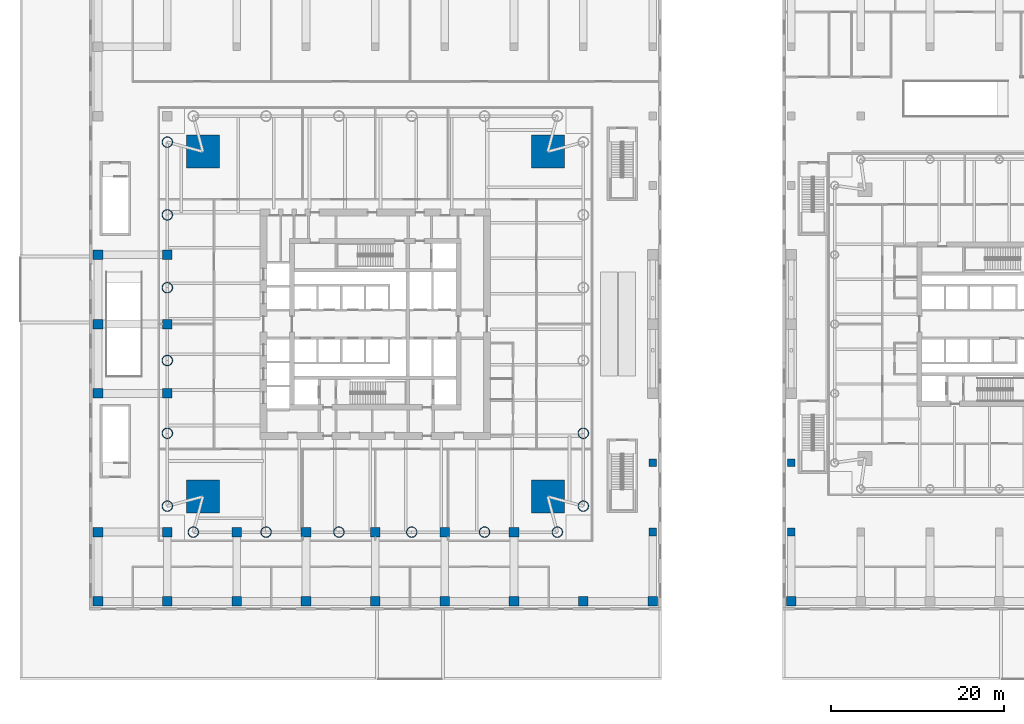
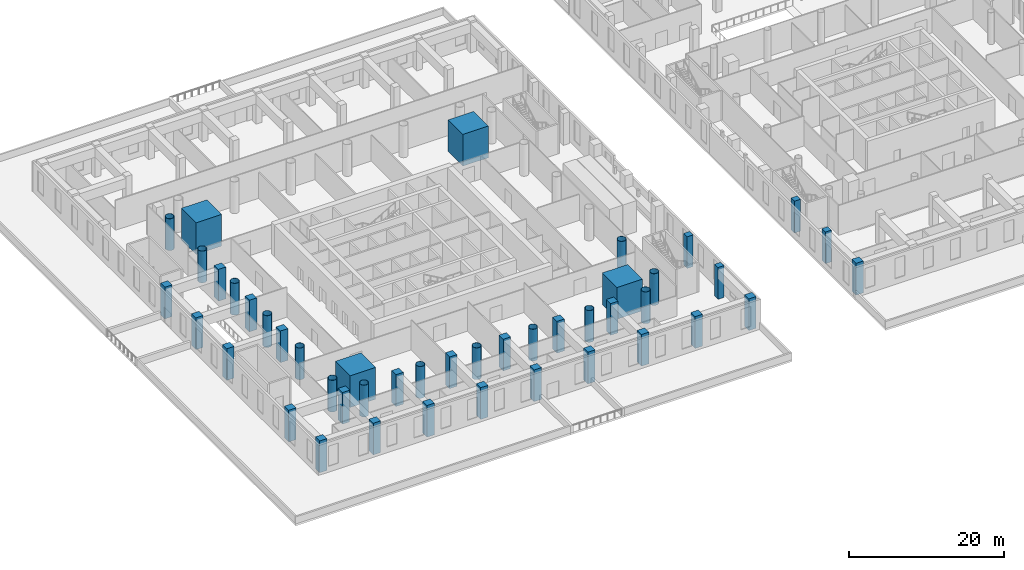
# One storey, part 1 of 26: 45 columns.
"""IFC4 building model written with IfcOpenShell, lengths in metres."""

from ifc_helpers import new_model, si_unit, direction, frame, origin, origin_2d, place, context, subcontext, project, spatial, rectangle, hollow_circle, extrude, material, material_profile, profile_set, type_object, element, save


model = new_model("IFC4")

# Units and contexts
model_context = context("Model", 3, precision=1e-05, world=origin(), true_north=direction((0.0, 1.0)))
body_context = subcontext(model_context, "Body", "Model", "MODEL_VIEW")
ifc_project = project(units=[si_unit("LENGTHUNIT", "METRE"), si_unit("AREAUNIT", "SQUARE_METRE"), si_unit("VOLUMEUNIT", "CUBIC_METRE"), si_unit("PLANEANGLEUNIT", "RADIAN"), si_unit("MASSUNIT", "GRAM", prefix="KILO")], contexts=[model_context])

# Site, building, storey
site_placement = place(None, origin())
site = spatial("IfcSite", under=ifc_project, at=site_placement, CompositionType="ELEMENT")
building_placement = place(site_placement, origin())
building = spatial("IfcBuilding", under=site, at=building_placement, Name="Ostroluk Exchange", CompositionType="ELEMENT")
storey_placement = place(building_placement, frame((0.0, 0.0, 6.0)))
storey = spatial("IfcBuildingStorey", under=building, at=storey_placement, Name="L01", CompositionType="ELEMENT", Elevation=6.0)

# Columns
ifc_material_1 = material(Name="Concrete C50/60", Category="concrete")
ifc_material_profile_1 = material_profile(ifc_material_1, rectangle(XDim=3.800048828125, YDim=3.800048828125, at=origin_2d()), Name="RC 3800x3800")
ifc_profile_set_1 = profile_set([ifc_material_profile_1], Name="Concrete C50/60")
column_type_1 = type_object("IfcColumnType", Name="Mega column RC 3800x3800", PredefinedType="COLUMN", material=ifc_profile_set_1)
for number, where, z_axis, x_axis, name in (
    (1, (64.89990234375, 65.89990234375, 0.0), (0.0, 0.0, 1.0), (1.0, 0.0, 0.0), "T1 mega column NE"),
    (2, (25.10009765625, 65.89990234375, 0.0), (0.0, 0.0, 1.0), (1.0, 0.0, 0.0), "T1 mega column NW"),
    (3, (25.10009765625, 26.10009765625, 0.0), (0.0, 0.0, 1.0), (1.0, 0.0, 0.0), "T1 mega column SW"),
    (4, (64.89990234375, 26.10009765625, 0.0), (0.0, 0.0, 1.0), (1.0, 0.0, 0.0), "T1 mega column SE"),
):
    element("IfcColumn", number, at=place(storey_placement, frame(where, z_axis=z_axis, x_axis=x_axis)), inside=storey, type_object=column_type_1, Name=name, PredefinedType="COLUMN", context=body_context, shape_type="SweptSolid", body=[
        extrude(rectangle(XDim=3.800048828125, YDim=3.800048828125, at=origin_2d()), origin(), (0.0, 0.0, 1.0), 5.0),
    ])
ifc_material_2 = material(Name="Steel S460", Category="steel")
ifc_material_profile_2 = material_profile(ifc_material_2, hollow_circle(Radius=0.609619140625, WallThickness=0.0400390625, at=origin_2d()), Name="CHS 1219x40")
ifc_profile_set_2 = profile_set([ifc_material_profile_2], Name="Steel S460")
column_type_2 = type_object("IfcColumnType", Name="Perimeter column CHS 1219x40", PredefinedType="COLUMN", material=ifc_profile_set_2)
for number, where, z_axis, x_axis, name in (
    (5, (69.0, 25.0, 0.0), (0.0, 0.0, 1.0), (1.0, 0.0, 0.0), "T1 east face column E0"),
    (6, (69.0, 33.39990234375, 0.0), (0.0, 0.0, 1.0), (1.0, 0.0, 0.0), "T1 east face column I1"),
    (7, (21.0, 67.0, 0.0), (0.0, 0.0, 1.0), (1.0, 0.0, 0.0), "T1 west face column E0"),
    (8, (21.0, 25.0, 0.0), (0.0, 0.0, 1.0), (1.0, 0.0, 0.0), "T1 west face column E1"),
    (9, (21.0, 58.60009765625, 0.0), (0.0, 0.0, 1.0), (1.0, 0.0, 0.0), "T1 west face column I1"),
    (10, (21.0, 50.199951171875, 0.0), (0.0, 0.0, 1.0), (1.0, 0.0, 0.0), "T1 west face column I2"),
    (11, (21.0, 41.800048828125, 0.0), (0.0, 0.0, 1.0), (1.0, 0.0, 0.0), "T1 west face column I3"),
    (12, (21.0, 33.39990234375, 0.0), (0.0, 0.0, 1.0), (1.0, 0.0, 0.0), "T1 west face column I4"),
    (13, (24.0, 22.0, 0.0), (0.0, 0.0, 1.0), (1.0, 0.0, 0.0), "T1 south face column E0"),
    (14, (66.0, 22.0, 0.0), (0.0, 0.0, 1.0), (1.0, 0.0, 0.0), "T1 south face column E1"),
    (15, (32.39990234375, 22.0, 0.0), (0.0, 0.0, 1.0), (1.0, 0.0, 0.0), "T1 south face column I1"),
    (16, (40.800048828125, 22.0, 0.0), (0.0, 0.0, 1.0), (1.0, 0.0, 0.0), "T1 south face column I2"),
    (17, (49.199951171875, 22.0, 0.0), (0.0, 0.0, 1.0), (1.0, 0.0, 0.0), "T1 south face column I3"),
    (18, (57.60009765625, 22.0, 0.0), (0.0, 0.0, 1.0), (1.0, 0.0, 0.0), "T1 south face column I4"),
):
    element("IfcColumn", number, at=place(storey_placement, frame(where, z_axis=z_axis, x_axis=x_axis)), inside=storey, type_object=column_type_2, Name=name, PredefinedType="COLUMN", context=body_context, shape_type="SweptSolid", body=[
        extrude(hollow_circle(Radius=0.609619140625, WallThickness=0.0400390625, at=origin_2d()), origin(), (0.0, 0.0, 1.0), 5.0),
    ])
ifc_material_3 = material(Name="Concrete C50/60", Category="concrete")
ifc_material_profile_3 = material_profile(ifc_material_3, rectangle(XDim=1.10009765625, YDim=1.10009765625, at=origin_2d()), Name="RC 1100x1100")
ifc_profile_set_3 = profile_set([ifc_material_profile_3], Name="Concrete C50/60")
column_type_3 = type_object("IfcColumnType", Name="Podium column RC 1100x1100", PredefinedType="COLUMN", material=ifc_profile_set_3)
for number, where, z_axis, x_axis, name in (
    (19, (13.0, 14.0, 0.0), (0.0, 0.0, 1.0), (1.0, 0.0, 0.0), "Podium column 13/14"),
    (20, (13.0, 22.0, 0.0), (0.0, 0.0, 1.0), (1.0, 0.0, 0.0), "Podium column 13/22"),
    (21, (13.0, 38.0, 0.0), (0.0, 0.0, 1.0), (1.0, 0.0, 0.0), "Podium column 13/38"),
    (22, (13.0, 46.0, 0.0), (0.0, 0.0, 1.0), (1.0, 0.0, 0.0), "Podium column 13/46"),
    (23, (13.0, 54.0, 0.0), (0.0, 0.0, 1.0), (1.0, 0.0, 0.0), "Podium column 13/54"),
    (24, (21.0, 14.0, 0.0), (0.0, 0.0, 1.0), (1.0, 0.0, 0.0), "Podium column 21/14"),
    (25, (29.0, 14.0, 0.0), (0.0, 0.0, 1.0), (1.0, 0.0, 0.0), "Podium column 29/14"),
    (26, (37.0, 14.0, 0.0), (0.0, 0.0, 1.0), (1.0, 0.0, 0.0), "Podium column 37/14"),
    (27, (45.0, 14.0, 0.0), (0.0, 0.0, 1.0), (1.0, 0.0, 0.0), "Podium column 45/14"),
    (28, (53.0, 14.0, 0.0), (0.0, 0.0, 1.0), (1.0, 0.0, 0.0), "Podium column 53/14"),
    (29, (61.0, 14.0, 0.0), (0.0, 0.0, 1.0), (1.0, 0.0, 0.0), "Podium column 61/14"),
    (30, (69.0, 14.0, 0.0), (0.0, 0.0, 1.0), (1.0, 0.0, 0.0), "Podium column 69/14"),
    (31, (77.0, 14.0, 0.0), (0.0, 0.0, 1.0), (1.0, 0.0, 0.0), "Podium column 77/14"),
    (32, (93.0, 14.0, 0.0), (0.0, 0.0, 1.0), (1.0, 0.0, 0.0), "Podium column 93/14"),
    (33, (21.0, 22.0, 0.0), (0.0, 0.0, 1.0), (1.0, 0.0, 0.0), "Podium column 21/22"),
    (34, (29.0, 22.0, 0.0), (0.0, 0.0, 1.0), (1.0, 0.0, 0.0), "Podium column 29/22"),
    (35, (37.0, 22.0, 0.0), (0.0, 0.0, 1.0), (1.0, 0.0, 0.0), "Podium column 37/22"),
    (36, (45.0, 22.0, 0.0), (0.0, 0.0, 1.0), (1.0, 0.0, 0.0), "Podium column 45/22"),
    (37, (53.0, 22.0, 0.0), (0.0, 0.0, 1.0), (1.0, 0.0, 0.0), "Podium column 53/22"),
    (38, (61.0, 22.0, 0.0), (0.0, 0.0, 1.0), (1.0, 0.0, 0.0), "Podium column 61/22"),
    (39, (21.0, 38.0, 0.0), (0.0, 0.0, 1.0), (1.0, 0.0, 0.0), "Podium column 21/38"),
    (40, (21.0, 46.0, 0.0), (0.0, 0.0, 1.0), (1.0, 0.0, 0.0), "Podium column 21/46"),
    (41, (21.0, 54.0, 0.0), (0.0, 0.0, 1.0), (1.0, 0.0, 0.0), "Podium column 21/54"),
):
    element("IfcColumn", number, at=place(storey_placement, frame(where, z_axis=z_axis, x_axis=x_axis)), inside=storey, type_object=column_type_3, Name=name, PredefinedType="COLUMN", context=body_context, shape_type="SweptSolid", body=[
        extrude(rectangle(XDim=1.10009765625, YDim=1.10009765625, at=origin_2d()), origin(), (0.0, 0.0, 1.0), 5.0),
    ])
ifc_material_4 = material(Name="Concrete C50/60", Category="concrete")
ifc_material_profile_4 = material_profile(ifc_material_4, rectangle(XDim=0.89990234375, YDim=0.89990234375, at=origin_2d()), Name="RC 900x900")
ifc_profile_set_4 = profile_set([ifc_material_profile_4], Name="Concrete C50/60")
column_type_4 = type_object("IfcColumnType", Name="Podium column RC 900x900", PredefinedType="COLUMN", material=ifc_profile_set_4)
for number, where, z_axis, x_axis, name in (
    (42, (77.0, 22.0, 0.0), (0.0, 0.0, 1.0), (1.0, 0.0, 0.0), "Podium column 77/22"),
    (43, (77.0, 30.0, 0.0), (0.0, 0.0, 1.0), (1.0, 0.0, 0.0), "Podium column 77/30"),
    (44, (93.0, 22.0, 0.0), (0.0, 0.0, 1.0), (1.0, 0.0, 0.0), "Podium column 93/22"),
    (45, (93.0, 30.0, 0.0), (0.0, 0.0, 1.0), (1.0, 0.0, 0.0), "Podium column 93/30"),
):
    element("IfcColumn", number, at=place(storey_placement, frame(where, z_axis=z_axis, x_axis=x_axis)), inside=storey, type_object=column_type_4, Name=name, PredefinedType="COLUMN", context=body_context, shape_type="SweptSolid", body=[
        extrude(rectangle(XDim=0.89990234375, YDim=0.89990234375, at=origin_2d()), origin(), (0.0, 0.0, 1.0), 5.0),
    ])

save(model, "model.ifc")
